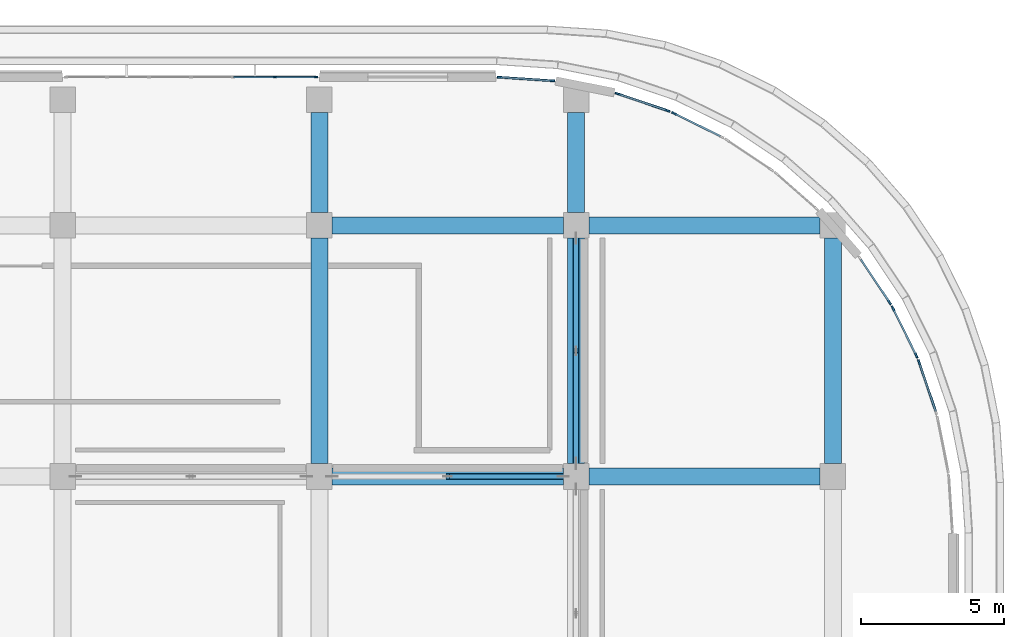
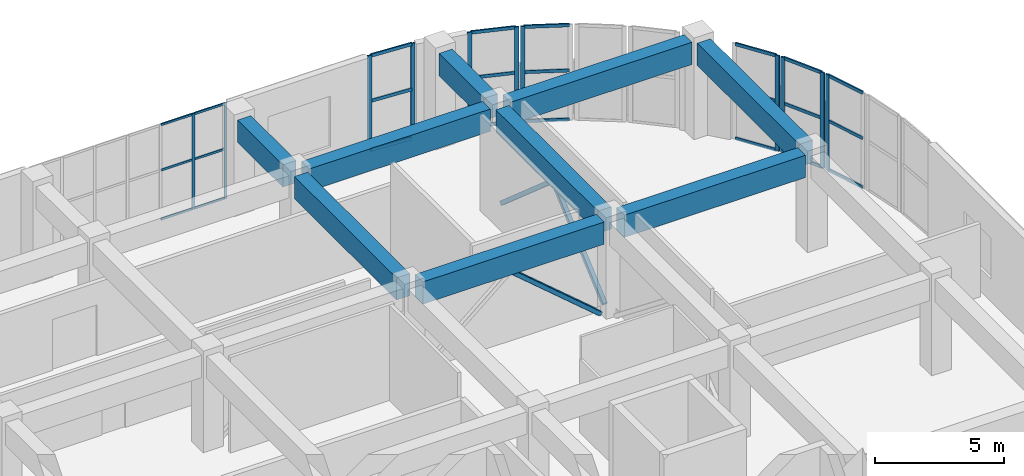
# One storey, part 42 of 96: 38 members, 9 beams, 7 elements without a shape of their own.
"""IFC4 building model written with IfcOpenShell, lengths in metres."""

from ifc_helpers import new_model, si_unit, direction, frame, origin, origin_2d, place, context, subcontext, project, spatial, rectangle, hollow_rectangle, extrude, material, layer, layer_set, material_profile, profile_set, type_object, element, aggregate, save


model = new_model("IFC4")

# Units and contexts
model_context = context("Model", 3, precision=1e-05, world=origin(), true_north=direction((0.0, 1.0)))
body_context = subcontext(model_context, "Body", "Model", "MODEL_VIEW")
ifc_project = project(units=[si_unit("LENGTHUNIT", "METRE"), si_unit("AREAUNIT", "SQUARE_METRE"), si_unit("VOLUMEUNIT", "CUBIC_METRE"), si_unit("PLANEANGLEUNIT", "RADIAN"), si_unit("MASSUNIT", "GRAM", prefix="KILO")], contexts=[model_context])

# Site, building, storey
site_placement = place(None, origin())
site = spatial("IfcSite", under=ifc_project, at=site_placement, CompositionType="ELEMENT")
building_placement = place(site_placement, origin())
building = spatial("IfcBuilding", under=site, at=building_placement, Name="Cendralis Terraced Arcade", CompositionType="ELEMENT")
storey_placement = place(building_placement, frame((0.0, 0.0, 10.199951171875)))
storey = spatial("IfcBuildingStorey", under=building, at=storey_placement, Name="L02", CompositionType="ELEMENT", Elevation=10.199951171875)

# Beams
ifc_material_1 = material(Name="Concrete f'c 35 MPa", Category="concrete")
ifc_material_profile_1 = material_profile(ifc_material_1, rectangle(XDim=0.60009765625, YDim=1.050048828125, at=origin_2d()), Name="RC-BM-600x1050", Category="LoadBearing")
ifc_profile_set_1 = profile_set([ifc_material_profile_1], Name="Concrete f'c 35 MPa")
beam_type = type_object("IfcBeamType", Name="BM-600x1050", PredefinedType="JOIST", material=ifc_profile_set_1)
for number, where, z_axis, x_axis, name in (
    (1, (148.64990234375, 98.39990234375, 3.989990234375), (1.0, 0.0, 0.0), (0.0, 1.0, 0.0), "Reinforced Concrete Frame Beam BM-X-L03-L-17_18"),
    (2, (157.64990234375, 98.39990234375, 3.989990234375), (1.0, 0.0, 0.0), (0.0, 1.0, 0.0), "Reinforced Concrete Frame Beam BM-X-L03-L-18_19"),
    (3, (148.64990234375, 107.199951171875, 3.989990234375), (1.0, 0.0, 0.0), (0.0, 1.0, 0.0), "Reinforced Concrete Frame Beam BM-X-L03-M-17_18"),
    (4, (157.64990234375, 107.199951171875, 3.989990234375), (1.0, 0.0, 0.0), (0.0, 1.0, 0.0), "Reinforced Concrete Frame Beam BM-X-L03-M-18_19"),
):
    element("IfcBeam", number, at=place(storey_placement, frame(where, z_axis=z_axis, x_axis=x_axis)), inside=storey, type_object=beam_type, Name=name, PredefinedType="JOIST", context=body_context, shape_type="SweptSolid", body=[
        extrude(rectangle(XDim=0.60009765625, YDim=1.050048828125, at=origin_2d()), origin(), (0.0, 0.0, 1.0), 8.10009765625),
    ])
beam_1_placement = place(storey_placement, frame((148.199951171875, 98.85009765625, 3.989990234375), z_axis=(0.0, 1.0, 0.0), x_axis=(-1.0, 0.0, 0.0)))
element("IfcBeam", 5, at=beam_1_placement, inside=storey, type_object=beam_type, Name="Reinforced Concrete Frame Beam BM-Y-L03-17-L_M", PredefinedType="JOIST", context=body_context, shape_type="SweptSolid", body=[
    extrude(rectangle(XDim=0.60009765625, YDim=1.050048828125, at=origin_2d()), origin(), (0.0, 0.0, 1.0), 7.89990234375),
])
beam_2_placement = place(storey_placement, frame((148.199951171875, 107.64990234375, 3.989990234375), z_axis=(0.0, 1.0, 0.0), x_axis=(-1.0, 0.0, 0.0)))
element("IfcBeam", 6, at=beam_2_placement, inside=storey, type_object=beam_type, Name="Reinforced Concrete Frame Beam BM-Y-L03-17-M_N", PredefinedType="JOIST", context=body_context, shape_type="SweptSolid", body=[
    extrude(rectangle(XDim=0.60009765625, YDim=1.050048828125, at=origin_2d()), origin(), (0.0, 0.0, 1.0), 3.5),
])
beam_3_placement = place(storey_placement, frame((157.199951171875, 98.85009765625, 3.989990234375), z_axis=(0.0, 1.0, 0.0), x_axis=(-1.0, 0.0, 0.0)))
element("IfcBeam", 7, at=beam_3_placement, inside=storey, type_object=beam_type, Name="Reinforced Concrete Frame Beam BM-Y-L03-18-L_M", PredefinedType="JOIST", context=body_context, shape_type="SweptSolid", body=[
    extrude(rectangle(XDim=0.60009765625, YDim=1.050048828125, at=origin_2d()), origin(), (0.0, 0.0, 1.0), 7.89990234375),
])
beam_4_placement = place(storey_placement, frame((157.199951171875, 107.64990234375, 3.989990234375), z_axis=(0.0, 1.0, 0.0), x_axis=(-1.0, 0.0, 0.0)))
element("IfcBeam", 8, at=beam_4_placement, inside=storey, type_object=beam_type, Name="Reinforced Concrete Frame Beam BM-Y-L03-18-M_N", PredefinedType="JOIST", context=body_context, shape_type="SweptSolid", body=[
    extrude(rectangle(XDim=0.60009765625, YDim=1.050048828125, at=origin_2d()), origin(), (0.0, 0.0, 1.0), 3.5),
])
beam_5_placement = place(storey_placement, frame((166.199951171875, 98.85009765625, 3.989990234375), z_axis=(0.0, 1.0, 0.0), x_axis=(-1.0, 0.0, 0.0)))
element("IfcBeam", 9, at=beam_5_placement, inside=storey, type_object=beam_type, Name="Reinforced Concrete Frame Beam BM-Y-L03-19-L_M", PredefinedType="JOIST", context=body_context, shape_type="SweptSolid", body=[
    extrude(rectangle(XDim=0.60009765625, YDim=1.050048828125, at=origin_2d()), origin(), (0.0, 0.0, 1.0), 7.89990234375),
])

# Curtain wall, members
ifc_material_2 = material(Name="Anodised aluminium EN AW-6063 T6", Category="aluminium")
ifc_layer_1 = layer(ifc_material_2, 0.1201171875, Name="CW-STORE-B")
ifc_layer_set_1 = layer_set([ifc_layer_1], Name="Anodised aluminium EN AW-6063 T6")
curtain_wall_type_1 = type_object("IfcCurtainWallType", Name="CW-STORE-B", PredefinedType="USERDEFINED", material=ifc_layer_set_1)
curtain_wall_1_placement = place(storey_placement, origin())
curtain_wall_1 = element("IfcCurtainWall", 10, at=curtain_wall_1_placement, inside=storey, type_object=curtain_wall_type_1, Name="Exterior Storefront Glazing CW-L02-0157", ObjectType="STOREFRONT GLAZING", PredefinedType="USERDEFINED")
ifc_material_profile_2 = material_profile(ifc_material_2, rectangle(XDim=0.054931640625, YDim=0.1201171875, at=origin_2d()), Name="ALU-MUL-55x120")
ifc_profile_set_2 = profile_set([ifc_material_profile_2], Name="Anodised aluminium EN AW-6063 T6")
member_type_1 = type_object("IfcMemberType", Name="CW-STORE-B-MUL", PredefinedType="MULLION", material=ifc_profile_set_2)
member_1_placement = place(storey_placement, frame((146.639892578125, 112.39990234375, 0.0), z_axis=(0.0, 0.0, 1.0), x_axis=(0.0, 1.0, 0.0)))
member_1 = element("IfcMember", 11, at=member_1_placement, type_object=member_type_1, Name="CW-S2 mullion 6", PredefinedType="MULLION", context=body_context, shape_type="SweptSolid", body=[
    extrude(rectangle(XDim=0.054931640625, YDim=0.1201171875, at=origin_2d()), origin(), (0.0, 0.0, 1.0), 4.51513671875),
])
member_2_placement = place(storey_placement, frame((148.08251953125, 112.39990234375, 0.0), z_axis=(0.0, 0.0, 1.0), x_axis=(0.0, 1.0, 0.0)))
member_2 = element("IfcMember", 12, at=member_2_placement, type_object=member_type_1, Name="CW-S2 mullion 7", PredefinedType="MULLION", context=body_context, shape_type="SweptSolid", body=[
    extrude(rectangle(XDim=0.054931640625, YDim=0.1201171875, at=origin_2d()), origin(), (0.0, 0.0, 1.0), 4.51513671875),
])
ifc_material_profile_3 = material_profile(ifc_material_2, rectangle(XDim=0.054931640625, YDim=0.10009765625, at=origin_2d()), Name="ALU-TRN-55x100")
ifc_profile_set_3 = profile_set([ifc_material_profile_3], Name="Anodised aluminium EN AW-6063 T6")
member_type_2 = type_object("IfcMemberType", Name="CW-STORE-B-TRN", PredefinedType="USERDEFINED", material=ifc_profile_set_3)
member_3_placement = place(storey_placement, frame((145.197509765625, 112.39990234375, 0.027587890625), z_axis=(1.0, 0.0, 0.0), x_axis=(0.0, 1.0, 0.0)))
member_3 = element("IfcMember", 13, at=member_3_placement, type_object=member_type_2, Name="CW-S2 transom 5.1", ObjectType="TRANSOM", PredefinedType="USERDEFINED", context=body_context, shape_type="SweptSolid", body=[
    extrude(rectangle(XDim=0.054931640625, YDim=0.10009765625, at=origin_2d()), origin(), (0.0, 0.0, 1.0), 1.4150390625),
])
member_4_placement = place(storey_placement, frame((145.197509765625, 112.39990234375, 2.347900390625), z_axis=(1.0, 0.0, 0.0), x_axis=(0.0, 1.0, 0.0)))
member_4 = element("IfcMember", 14, at=member_4_placement, type_object=member_type_2, Name="CW-S2 transom 5.2", ObjectType="TRANSOM", PredefinedType="USERDEFINED", context=body_context, shape_type="SweptSolid", body=[
    extrude(rectangle(XDim=0.054931640625, YDim=0.10009765625, at=origin_2d()), origin(), (0.0, 0.0, 1.0), 1.4150390625),
])
member_5_placement = place(storey_placement, frame((145.197509765625, 112.39990234375, 4.487548828125), z_axis=(1.0, 0.0, 0.0), x_axis=(0.0, 1.0, 0.0)))
member_5 = element("IfcMember", 15, at=member_5_placement, type_object=member_type_2, Name="CW-S2 transom 5.3", ObjectType="TRANSOM", PredefinedType="USERDEFINED", context=body_context, shape_type="SweptSolid", body=[
    extrude(rectangle(XDim=0.054931640625, YDim=0.10009765625, at=origin_2d()), origin(), (0.0, 0.0, 1.0), 1.4150390625),
])
member_6_placement = place(storey_placement, frame((146.66748046875, 112.39990234375, 0.027587890625), z_axis=(1.0, 0.0, 0.0), x_axis=(0.0, 1.0, 0.0)))
member_6 = element("IfcMember", 16, at=member_6_placement, type_object=member_type_2, Name="CW-S2 transom 6.1", ObjectType="TRANSOM", PredefinedType="USERDEFINED", context=body_context, shape_type="SweptSolid", body=[
    extrude(rectangle(XDim=0.054931640625, YDim=0.10009765625, at=origin_2d()), origin(), (0.0, 0.0, 1.0), 1.387451171875),
])
member_7_placement = place(storey_placement, frame((146.66748046875, 112.39990234375, 2.347900390625), z_axis=(1.0, 0.0, 0.0), x_axis=(0.0, 1.0, 0.0)))
member_7 = element("IfcMember", 17, at=member_7_placement, type_object=member_type_2, Name="CW-S2 transom 6.2", ObjectType="TRANSOM", PredefinedType="USERDEFINED", context=body_context, shape_type="SweptSolid", body=[
    extrude(rectangle(XDim=0.054931640625, YDim=0.10009765625, at=origin_2d()), origin(), (0.0, 0.0, 1.0), 1.387451171875),
])
member_8_placement = place(storey_placement, frame((146.66748046875, 112.39990234375, 4.487548828125), z_axis=(1.0, 0.0, 0.0), x_axis=(0.0, 1.0, 0.0)))
member_8 = element("IfcMember", 18, at=member_8_placement, type_object=member_type_2, Name="CW-S2 transom 6.3", ObjectType="TRANSOM", PredefinedType="USERDEFINED", context=body_context, shape_type="SweptSolid", body=[
    extrude(rectangle(XDim=0.054931640625, YDim=0.10009765625, at=origin_2d()), origin(), (0.0, 0.0, 1.0), 1.387451171875),
])
aggregate(curtain_wall_1, [member_1, member_2, member_3, member_4, member_5, member_6, member_7, member_8])

ifc_layer_2 = layer(ifc_material_2, 0.179931640625, Name="CW-UNIT-A")
ifc_layer_set_2 = layer_set([ifc_layer_2], Name="Anodised aluminium EN AW-6063 T6")
curtain_wall_type_2 = type_object("IfcCurtainWallType", Name="CW-UNIT-A", PredefinedType="USERDEFINED", material=ifc_layer_set_2)
curtain_wall_2_placement = place(storey_placement, origin())
curtain_wall_2 = element("IfcCurtainWall", 19, at=curtain_wall_2_placement, inside=storey, type_object=curtain_wall_type_2, Name="Exterior Unitised Facade CW-L02-0158", ObjectType="UNITISED FACADE", PredefinedType="USERDEFINED")
ifc_material_profile_4 = material_profile(ifc_material_2, rectangle(XDim=0.06494140625, YDim=0.179931640625, at=origin_2d()), Name="ALU-MUL-65x180")
ifc_profile_set_4 = profile_set([ifc_material_profile_4], Name="Anodised aluminium EN AW-6063 T6")
member_type_3 = type_object("IfcMemberType", Name="CW-UNIT-A-MUL", PredefinedType="MULLION", material=ifc_profile_set_4)
member_9_placement = place(storey_placement, frame((154.522216796875, 112.39208984375, 0.0), z_axis=(0.0, 0.0, 1.0), x_axis=(0.065398256097, 0.997859242629, 0.0)))
member_9 = element("IfcMember", 20, at=member_9_placement, type_object=member_type_3, Name="CW-U1 mullion 1", PredefinedType="MULLION", context=body_context, shape_type="SweptSolid", body=[
    extrude(rectangle(XDim=0.06494140625, YDim=0.179931640625, at=origin_2d()), origin(), (0.0, 0.0, 1.0), 4.51513671875),
])
member_10_placement = place(storey_placement, frame((156.3662109375, 112.271240234375, 0.0), z_axis=(0.0, 0.0, 1.0), x_axis=(0.065398256097, 0.997859242629, 0.0)))
member_10 = element("IfcMember", 21, at=member_10_placement, type_object=member_type_3, Name="CW-U1 mullion 2", PredefinedType="MULLION", context=body_context, shape_type="SweptSolid", body=[
    extrude(rectangle(XDim=0.06494140625, YDim=0.179931640625, at=origin_2d()), origin(), (0.0, 0.0, 1.0), 4.51513671875),
])

curtain_wall_3_placement = place(storey_placement, origin())
curtain_wall_3 = element("IfcCurtainWall", 22, at=curtain_wall_3_placement, inside=storey, type_object=curtain_wall_type_2, Name="Exterior Unitised Facade CW-L02-0159", ObjectType="UNITISED FACADE", PredefinedType="USERDEFINED")
member_11_placement = place(storey_placement, frame((158.656982421875, 111.8154296875, 0.0), z_axis=(0.0, 0.0, 1.0), x_axis=(0.321445350645, 0.94692813167, 0.0)))
member_11 = element("IfcMember", 23, at=member_11_placement, type_object=member_type_3, Name="CW-U1 mullion 1", PredefinedType="MULLION", context=body_context, shape_type="SweptSolid", body=[
    extrude(rectangle(XDim=0.06494140625, YDim=0.179931640625, at=origin_2d()), origin(), (0.0, 0.0, 1.0), 4.51513671875),
])
member_12_placement = place(storey_placement, frame((160.406982421875, 111.221435546875, 0.0), z_axis=(0.0, 0.0, 1.0), x_axis=(0.321445350645, 0.94692813167, 0.0)))
member_12 = element("IfcMember", 24, at=member_12_placement, type_object=member_type_3, Name="CW-U1 mullion 2", PredefinedType="MULLION", context=body_context, shape_type="SweptSolid", body=[
    extrude(rectangle(XDim=0.06494140625, YDim=0.179931640625, at=origin_2d()), origin(), (0.0, 0.0, 1.0), 4.51513671875),
])

# Curtain wall, member
curtain_wall_4_placement = place(storey_placement, origin())
curtain_wall_4 = element("IfcCurtainWall", 25, at=curtain_wall_4_placement, inside=storey, type_object=curtain_wall_type_2, Name="Exterior Unitised Facade CW-L02-0160", ObjectType="UNITISED FACADE", PredefinedType="USERDEFINED")
member_13_placement = place(storey_placement, frame((160.6328125, 111.1279296875, 0.0), z_axis=(0.0, 0.0, 1.0), x_axis=(0.442293060122, 0.896870586522, 0.0)))
member_13 = element("IfcMember", 26, at=member_13_placement, type_object=member_type_3, Name="CW-U1 mullion 1", PredefinedType="MULLION", context=body_context, shape_type="SweptSolid", body=[
    extrude(rectangle(XDim=0.06494140625, YDim=0.179931640625, at=origin_2d()), origin(), (0.0, 0.0, 1.0), 4.51513671875),
])

curtain_wall_5_placement = place(storey_placement, origin())
curtain_wall_5 = element("IfcCurtainWall", 27, at=curtain_wall_5_placement, inside=storey, type_object=curtain_wall_type_2, Name="Exterior Unitised Facade CW-L02-0163", ObjectType="UNITISED FACADE", PredefinedType="USERDEFINED")
member_14_placement = place(storey_placement, frame((168.188232421875, 104.501708984375, 0.0), z_axis=(0.0, 0.0, 1.0), x_axis=(0.831494952872, 0.555532306305, 0.0)))
member_14 = element("IfcMember", 28, at=member_14_placement, type_object=member_type_3, Name="CW-U1 mullion 2", PredefinedType="MULLION", context=body_context, shape_type="SweptSolid", body=[
    extrude(rectangle(XDim=0.06494140625, YDim=0.179931640625, at=origin_2d()), origin(), (0.0, 0.0, 1.0), 4.51513671875),
])

# Curtain wall, members
curtain_wall_6_placement = place(storey_placement, origin())
curtain_wall_6 = element("IfcCurtainWall", 29, at=curtain_wall_6_placement, inside=storey, type_object=curtain_wall_type_2, Name="Exterior Unitised Facade CW-L02-0164", ObjectType="UNITISED FACADE", PredefinedType="USERDEFINED")
member_15_placement = place(storey_placement, frame((168.310546875, 104.2900390625, 0.0), z_axis=(0.0, 0.0, 1.0), x_axis=(0.896870586522, 0.442293060122, 0.0)))
member_15 = element("IfcMember", 30, at=member_15_placement, type_object=member_type_3, Name="CW-U1 mullion 1", PredefinedType="MULLION", context=body_context, shape_type="SweptSolid", body=[
    extrude(rectangle(XDim=0.06494140625, YDim=0.179931640625, at=origin_2d()), origin(), (0.0, 0.0, 1.0), 4.51513671875),
])
member_16_placement = place(storey_placement, frame((169.1279296875, 102.6328125, 0.0), z_axis=(0.0, 0.0, 1.0), x_axis=(0.896870586522, 0.442293060122, 0.0)))
member_16 = element("IfcMember", 31, at=member_16_placement, type_object=member_type_3, Name="CW-U1 mullion 2", PredefinedType="MULLION", context=body_context, shape_type="SweptSolid", body=[
    extrude(rectangle(XDim=0.06494140625, YDim=0.179931640625, at=origin_2d()), origin(), (0.0, 0.0, 1.0), 4.51513671875),
])

# Curtain wall, member
curtain_wall_7_placement = place(storey_placement, origin())
curtain_wall_7 = element("IfcCurtainWall", 32, at=curtain_wall_7_placement, inside=storey, type_object=curtain_wall_type_2, Name="Exterior Unitised Facade CW-L02-0165", ObjectType="UNITISED FACADE", PredefinedType="USERDEFINED")
member_17_placement = place(storey_placement, frame((169.221435546875, 102.406982421875, 0.0), z_axis=(0.0, 0.0, 1.0), x_axis=(0.94692813167, 0.321445350645, 0.0)))
member_17 = element("IfcMember", 33, at=member_17_placement, type_object=member_type_3, Name="CW-U1 mullion 1", PredefinedType="MULLION", context=body_context, shape_type="SweptSolid", body=[
    extrude(rectangle(XDim=0.06494140625, YDim=0.179931640625, at=origin_2d()), origin(), (0.0, 0.0, 1.0), 4.51513671875),
])

# Member
ifc_material_profile_5 = material_profile(ifc_material_2, rectangle(XDim=0.06494140625, YDim=0.14990234375, at=origin_2d()), Name="ALU-TRN-65x150")
ifc_profile_set_5 = profile_set([ifc_material_profile_5], Name="Anodised aluminium EN AW-6063 T6")
member_type_4 = type_object("IfcMemberType", Name="CW-UNIT-A-TRN", PredefinedType="USERDEFINED", material=ifc_profile_set_5)
member_18_placement = place(storey_placement, frame((154.5546875, 112.389892578125, 0.032470703125), z_axis=(0.997855483064, -0.065455595019, 0.0), x_axis=(0.065455595019, 0.997855483064, 0.0)))
member_18 = element("IfcMember", 34, at=member_18_placement, type_object=member_type_4, Name="CW-U1 transom 1.1", ObjectType="TRANSOM", PredefinedType="USERDEFINED", context=body_context, shape_type="SweptSolid", body=[
    extrude(rectangle(XDim=0.06494140625, YDim=0.14990234375, at=origin_2d()), origin(), (0.0, 0.0, 1.0), 1.782958984375),
])

member_19_placement = place(storey_placement, frame((154.5546875, 112.389892578125, 2.347900390625), z_axis=(0.997855483064, -0.065455595019, 0.0), x_axis=(0.065455595019, 0.997855483064, 0.0)))
member_19 = element("IfcMember", 35, at=member_19_placement, type_object=member_type_4, Name="CW-U1 transom 1.2", ObjectType="TRANSOM", PredefinedType="USERDEFINED", context=body_context, shape_type="SweptSolid", body=[
    extrude(rectangle(XDim=0.06494140625, YDim=0.14990234375, at=origin_2d()), origin(), (0.0, 0.0, 1.0), 1.782958984375),
])

member_20_placement = place(storey_placement, frame((154.5546875, 112.389892578125, 4.482666015625), z_axis=(0.997855483064, -0.065455595019, 0.0), x_axis=(0.065455595019, 0.997855483064, 0.0)))
member_20 = element("IfcMember", 36, at=member_20_placement, type_object=member_type_4, Name="CW-U1 transom 1.3", ObjectType="TRANSOM", PredefinedType="USERDEFINED", context=body_context, shape_type="SweptSolid", body=[
    extrude(rectangle(XDim=0.06494140625, YDim=0.14990234375, at=origin_2d()), origin(), (0.0, 0.0, 1.0), 1.782958984375),
])

aggregate(curtain_wall_2, [member_9, member_10, member_18, member_19, member_20])

member_21_placement = place(storey_placement, frame((158.687744140625, 111.804931640625, 0.032470703125), z_axis=(0.94695786821, -0.321357738098, 0.0), x_axis=(0.321357738098, 0.94695786821, 0.0)))
member_21 = element("IfcMember", 37, at=member_21_placement, type_object=member_type_4, Name="CW-U1 transom 1.1", ObjectType="TRANSOM", PredefinedType="USERDEFINED", context=body_context, shape_type="SweptSolid", body=[
    extrude(rectangle(XDim=0.06494140625, YDim=0.14990234375, at=origin_2d()), origin(), (0.0, 0.0, 1.0), 1.782958984375),
])

member_22_placement = place(storey_placement, frame((158.687744140625, 111.804931640625, 2.347900390625), z_axis=(0.94695786821, -0.321357738098, 0.0), x_axis=(0.321357738098, 0.94695786821, 0.0)))
member_22 = element("IfcMember", 38, at=member_22_placement, type_object=member_type_4, Name="CW-U1 transom 1.2", ObjectType="TRANSOM", PredefinedType="USERDEFINED", context=body_context, shape_type="SweptSolid", body=[
    extrude(rectangle(XDim=0.06494140625, YDim=0.14990234375, at=origin_2d()), origin(), (0.0, 0.0, 1.0), 1.782958984375),
])

member_23_placement = place(storey_placement, frame((158.687744140625, 111.804931640625, 4.482666015625), z_axis=(0.94695786821, -0.321357738098, 0.0), x_axis=(0.321357738098, 0.94695786821, 0.0)))
member_23 = element("IfcMember", 39, at=member_23_placement, type_object=member_type_4, Name="CW-U1 transom 1.3", ObjectType="TRANSOM", PredefinedType="USERDEFINED", context=body_context, shape_type="SweptSolid", body=[
    extrude(rectangle(XDim=0.06494140625, YDim=0.14990234375, at=origin_2d()), origin(), (0.0, 0.0, 1.0), 1.782958984375),
])

aggregate(curtain_wall_3, [member_11, member_12, member_21, member_22, member_23])

member_24_placement = place(storey_placement, frame((160.661865234375, 111.113525390625, 0.032470703125), z_axis=(0.896878311066, -0.442277396144, 0.0), x_axis=(0.442277396144, 0.896878311066, 0.0)))
member_24 = element("IfcMember", 40, at=member_24_placement, type_object=member_type_4, Name="CW-U1 transom 1.1", ObjectType="TRANSOM", PredefinedType="USERDEFINED", context=body_context, shape_type="SweptSolid", body=[
    extrude(rectangle(XDim=0.06494140625, YDim=0.14990234375, at=origin_2d()), origin(), (0.0, 0.0, 1.0), 1.782958984375),
])

member_25_placement = place(storey_placement, frame((160.661865234375, 111.113525390625, 2.347900390625), z_axis=(0.896878311066, -0.442277396144, 0.0), x_axis=(0.442277396144, 0.896878311066, 0.0)))
member_25 = element("IfcMember", 41, at=member_25_placement, type_object=member_type_4, Name="CW-U1 transom 1.2", ObjectType="TRANSOM", PredefinedType="USERDEFINED", context=body_context, shape_type="SweptSolid", body=[
    extrude(rectangle(XDim=0.06494140625, YDim=0.14990234375, at=origin_2d()), origin(), (0.0, 0.0, 1.0), 1.782958984375),
])

member_26_placement = place(storey_placement, frame((160.661865234375, 111.113525390625, 4.482666015625), z_axis=(0.896878311066, -0.442277396144, 0.0), x_axis=(0.442277396144, 0.896878311066, 0.0)))
member_26 = element("IfcMember", 42, at=member_26_placement, type_object=member_type_4, Name="CW-U1 transom 1.3", ObjectType="TRANSOM", PredefinedType="USERDEFINED", context=body_context, shape_type="SweptSolid", body=[
    extrude(rectangle(XDim=0.06494140625, YDim=0.14990234375, at=origin_2d()), origin(), (0.0, 0.0, 1.0), 1.782958984375),
])

aggregate(curtain_wall_4, [member_13, member_24, member_25, member_26])

member_27_placement = place(storey_placement, frame((167.179931640625, 106.011474609375, 0.032470703125), z_axis=(0.555489877053, -0.831523298827, 0.0), x_axis=(0.831523298827, 0.555489877053, 0.0)))
member_27 = element("IfcMember", 43, at=member_27_placement, type_object=member_type_4, Name="CW-U1 transom 1.1", ObjectType="TRANSOM", PredefinedType="USERDEFINED", context=body_context, shape_type="SweptSolid", body=[
    extrude(rectangle(XDim=0.06494140625, YDim=0.14990234375, at=origin_2d()), origin(), (0.0, 0.0, 1.0), 1.782958984375),
])

member_28_placement = place(storey_placement, frame((167.179931640625, 106.011474609375, 2.347900390625), z_axis=(0.555489877053, -0.831523298827, 0.0), x_axis=(0.831523298827, 0.555489877053, 0.0)))
member_28 = element("IfcMember", 44, at=member_28_placement, type_object=member_type_4, Name="CW-U1 transom 1.2", ObjectType="TRANSOM", PredefinedType="USERDEFINED", context=body_context, shape_type="SweptSolid", body=[
    extrude(rectangle(XDim=0.06494140625, YDim=0.14990234375, at=origin_2d()), origin(), (0.0, 0.0, 1.0), 1.782958984375),
])

member_29_placement = place(storey_placement, frame((167.179931640625, 106.011474609375, 4.482666015625), z_axis=(0.555489877053, -0.831523298827, 0.0), x_axis=(0.831523298827, 0.555489877053, 0.0)))
member_29 = element("IfcMember", 45, at=member_29_placement, type_object=member_type_4, Name="CW-U1 transom 1.3", ObjectType="TRANSOM", PredefinedType="USERDEFINED", context=body_context, shape_type="SweptSolid", body=[
    extrude(rectangle(XDim=0.06494140625, YDim=0.14990234375, at=origin_2d()), origin(), (0.0, 0.0, 1.0), 1.782958984375),
])

aggregate(curtain_wall_5, [member_14, member_27, member_28, member_29])

member_30_placement = place(storey_placement, frame((168.324951171875, 104.260986328125, 0.032470703125), z_axis=(0.442277396144, -0.896878311066, 0.0), x_axis=(0.896878311066, 0.442277396144, 0.0)))
member_30 = element("IfcMember", 46, at=member_30_placement, type_object=member_type_4, Name="CW-U1 transom 1.1", ObjectType="TRANSOM", PredefinedType="USERDEFINED", context=body_context, shape_type="SweptSolid", body=[
    extrude(rectangle(XDim=0.06494140625, YDim=0.14990234375, at=origin_2d()), origin(), (0.0, 0.0, 1.0), 1.782958984375),
])

member_31_placement = place(storey_placement, frame((168.324951171875, 104.260986328125, 2.347900390625), z_axis=(0.442277396144, -0.896878311066, 0.0), x_axis=(0.896878311066, 0.442277396144, 0.0)))
member_31 = element("IfcMember", 47, at=member_31_placement, type_object=member_type_4, Name="CW-U1 transom 1.2", ObjectType="TRANSOM", PredefinedType="USERDEFINED", context=body_context, shape_type="SweptSolid", body=[
    extrude(rectangle(XDim=0.06494140625, YDim=0.14990234375, at=origin_2d()), origin(), (0.0, 0.0, 1.0), 1.782958984375),
])

member_32_placement = place(storey_placement, frame((168.324951171875, 104.260986328125, 4.482666015625), z_axis=(0.442277396144, -0.896878311066, 0.0), x_axis=(0.896878311066, 0.442277396144, 0.0)))
member_32 = element("IfcMember", 48, at=member_32_placement, type_object=member_type_4, Name="CW-U1 transom 1.3", ObjectType="TRANSOM", PredefinedType="USERDEFINED", context=body_context, shape_type="SweptSolid", body=[
    extrude(rectangle(XDim=0.06494140625, YDim=0.14990234375, at=origin_2d()), origin(), (0.0, 0.0, 1.0), 1.782958984375),
])

aggregate(curtain_wall_6, [member_15, member_16, member_30, member_31, member_32])

member_33_placement = place(storey_placement, frame((169.23193359375, 102.376220703125, 0.032470703125), z_axis=(0.321357738098, -0.94695786821, 0.0), x_axis=(0.94695786821, 0.321357738098, 0.0)))
member_33 = element("IfcMember", 49, at=member_33_placement, type_object=member_type_4, Name="CW-U1 transom 1.1", ObjectType="TRANSOM", PredefinedType="USERDEFINED", context=body_context, shape_type="SweptSolid", body=[
    extrude(rectangle(XDim=0.06494140625, YDim=0.14990234375, at=origin_2d()), origin(), (0.0, 0.0, 1.0), 1.782958984375),
])

member_34_placement = place(storey_placement, frame((169.23193359375, 102.376220703125, 2.347900390625), z_axis=(0.321357738098, -0.94695786821, 0.0), x_axis=(0.94695786821, 0.321357738098, 0.0)))
member_34 = element("IfcMember", 50, at=member_34_placement, type_object=member_type_4, Name="CW-U1 transom 1.2", ObjectType="TRANSOM", PredefinedType="USERDEFINED", context=body_context, shape_type="SweptSolid", body=[
    extrude(rectangle(XDim=0.06494140625, YDim=0.14990234375, at=origin_2d()), origin(), (0.0, 0.0, 1.0), 1.782958984375),
])

member_35_placement = place(storey_placement, frame((169.23193359375, 102.376220703125, 4.482666015625), z_axis=(0.321357738098, -0.94695786821, 0.0), x_axis=(0.94695786821, 0.321357738098, 0.0)))
member_35 = element("IfcMember", 51, at=member_35_placement, type_object=member_type_4, Name="CW-U1 transom 1.3", ObjectType="TRANSOM", PredefinedType="USERDEFINED", context=body_context, shape_type="SweptSolid", body=[
    extrude(rectangle(XDim=0.06494140625, YDim=0.14990234375, at=origin_2d()), origin(), (0.0, 0.0, 1.0), 1.782958984375),
])

aggregate(curtain_wall_7, [member_17, member_33, member_34, member_35])

# Members
ifc_material_3 = material(Name="Steel ASTM A572 Grade 50", Category="steel")
ifc_material_profile_6 = material_profile(ifc_material_3, hollow_rectangle(XDim=0.199951171875, YDim=0.199951171875, WallThickness=0.010009765625, InnerFilletRadius=0.010009765625, OuterFilletRadius=0.02001953125, at=origin_2d()), Name="HSS200X200X10", Category="LoadBearing")
ifc_profile_set_6 = profile_set([ifc_material_profile_6], Name="Steel ASTM A572 Grade 50")
member_type_5 = type_object("IfcMemberType", Name="MEM-BRC-HSS200", PredefinedType="BRACE", material=ifc_profile_set_6)
member_36_placement = place(storey_placement, frame((156.75, 98.39990234375, 0.02001953125), z_axis=(-0.761704755034, 0.0, 0.647924275019), x_axis=(0.0, -1.0, 0.0)))
element("IfcMember", 52, at=member_36_placement, inside=storey, type_object=member_type_5, Name="Chevron Steel Lateral Frame Brace BRC-L02-014", PredefinedType="BRACE", context=body_context, shape_type="SweptSolid", body=[
    extrude(hollow_rectangle(XDim=0.199951171875, YDim=0.199951171875, WallThickness=0.010009765625, InnerFilletRadius=0.010009765625, OuterFilletRadius=0.02001953125, at=origin_2d()), origin(), (0.0, 0.0, 1.0), 5.317138671875),
])
for number, where, z_axis, x_axis, name in (
    (53, (157.199951171875, 98.85009765625, 0.02001953125), (0.0, 0.753628950329, 0.657300087651), (-1.0, 0.0, 0.0), "Chevron Steel Lateral Frame Brace BRC-L02-029"),
    (54, (157.199951171875, 106.75, 0.02001953125), (0.0, -0.753628950329, 0.657300087651), (1.0, 0.0, 0.0), "Chevron Steel Lateral Frame Brace BRC-L02-030"),
):
    element("IfcMember", number, at=place(storey_placement, frame(where, z_axis=z_axis, x_axis=x_axis)), inside=storey, type_object=member_type_5, Name=name, PredefinedType="BRACE", context=body_context, shape_type="SweptSolid", body=[
        extrude(hollow_rectangle(XDim=0.199951171875, YDim=0.199951171875, WallThickness=0.010009765625, InnerFilletRadius=0.010009765625, OuterFilletRadius=0.02001953125, at=origin_2d()), origin(), (0.0, 0.0, 1.0), 5.2412109375),
    ])

save(model, "model.ifc")
